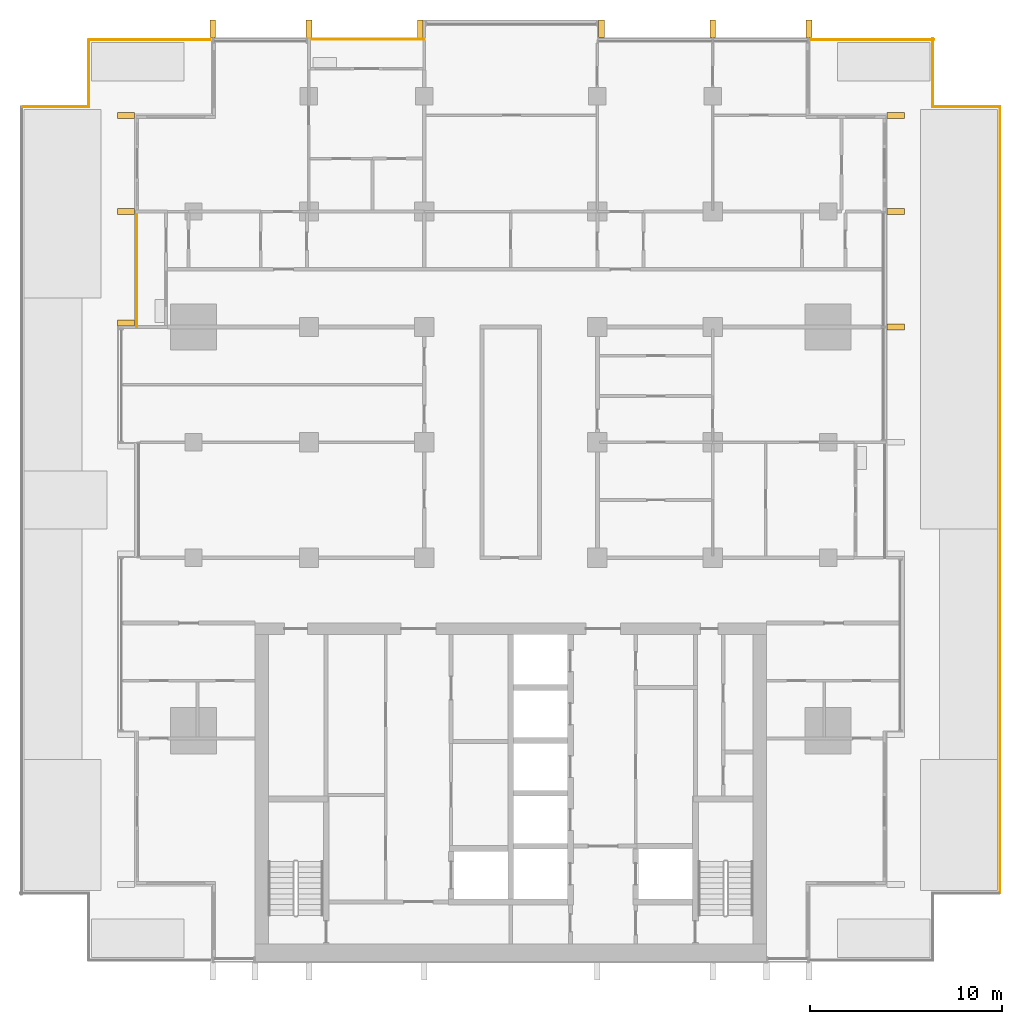
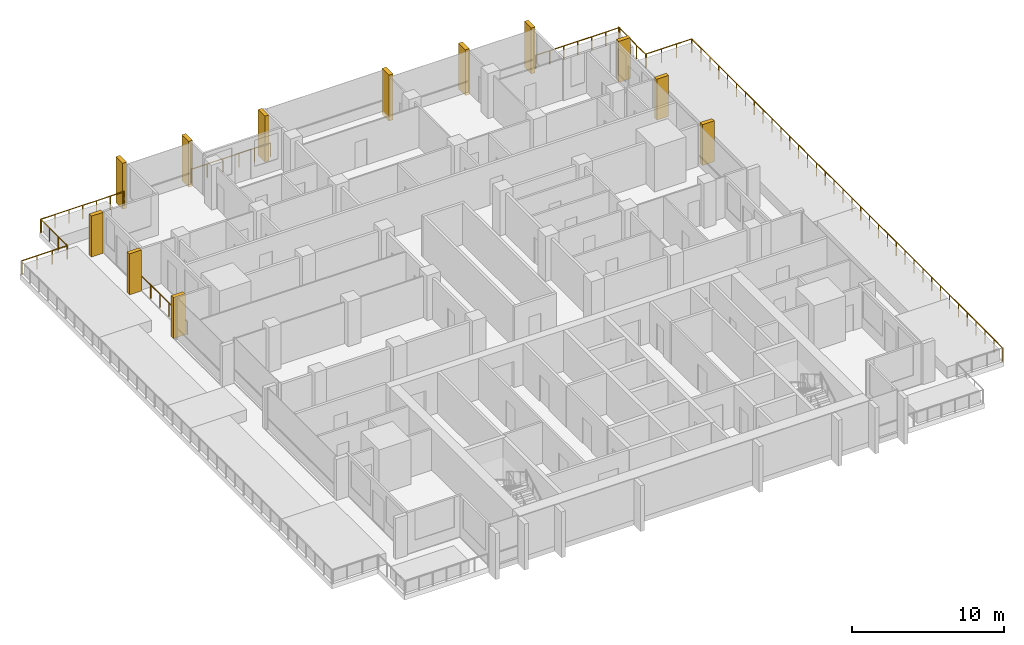
# One storey, part 18 of 18: 12 shading devices, 9 railings.
"""IFC4 building model written with IfcOpenShell, lengths in metres."""

from ifc_helpers import new_model, si_unit, direction, frame, origin, origin_2d, place, context, subcontext, project, spatial, rectangle, circle, extrude, material, type_object, element, save


model = new_model("IFC4")

# Units and contexts
model_context = context("Model", 3, precision=1e-05, world=origin(), true_north=direction((0.0, 1.0)))
body_context = subcontext(model_context, "Body", "Model", "MODEL_VIEW")
ifc_project = project(units=[si_unit("LENGTHUNIT", "METRE"), si_unit("AREAUNIT", "SQUARE_METRE"), si_unit("VOLUMEUNIT", "CUBIC_METRE"), si_unit("PLANEANGLEUNIT", "RADIAN"), si_unit("MASSUNIT", "GRAM", prefix="KILO")], contexts=[model_context])

# Site, building, storey
site_placement = place(None, origin())
site = spatial("IfcSite", under=ifc_project, at=site_placement, CompositionType="ELEMENT")
building_placement = place(site_placement, origin())
building = spatial("IfcBuilding", under=site, at=building_placement, Name="Finial Court Residences", CompositionType="ELEMENT")
storey_placement = place(building_placement, frame((0.0, 0.0, 149.300048828125)))
storey = spatial("IfcBuildingStorey", under=building, at=storey_placement, Name="L36", CompositionType="ELEMENT", Elevation=149.300048828125)

# Railings
ifc_material_1 = material(Name="Bronze anodised aluminium", Category="aluminium")
railing_type_1 = type_object("IfcRailingType", Name="Balcony guard 1100", PredefinedType="GUARDRAIL", material=ifc_material_1)
railing_1_placement = place(storey_placement, frame((-10.5, 22.449951171875, 0.0)))
element("IfcRailing", 1, at=railing_1_placement, inside=storey, type_object=railing_type_1, Name="E-L36-BALN2-R", PredefinedType="GUARDRAIL", context=body_context, shape_type="SweptSolid", body=[
    extrude(circle(Radius=0.02392578125, at=origin_2d()), frame((0.0, 0.0, 1.076171875), z_axis=(1.0, 0.0, 0.0), x_axis=(0.0, 1.0, 0.0)), (0.0, 0.0, 1.0), 6.0),
    extrude(circle(Radius=0.02099609375, at=origin_2d()), origin(), (0.0, 0.0, 1.0), 1.052001953125),
    extrude(circle(Radius=0.02099609375, at=origin_2d()), frame((1.199951171875, 0.0, 0.0)), (0.0, 0.0, 1.0), 1.052001953125),
    extrude(circle(Radius=0.02099609375, at=origin_2d()), frame((2.39990234375, 0.0, 0.0)), (0.0, 0.0, 1.0), 1.052001953125),
    extrude(circle(Radius=0.02099609375, at=origin_2d()), frame((3.60009765625, 0.0, 0.0)), (0.0, 0.0, 1.0), 1.052001953125),
    extrude(circle(Radius=0.02099609375, at=origin_2d()), frame((4.800048828125, 0.0, 0.0)), (0.0, 0.0, 1.0), 1.052001953125),
    extrude(circle(Radius=0.02099609375, at=origin_2d()), frame((6.0, 0.0, 0.0)), (0.0, 0.0, 1.0), 1.052001953125),
])
railing_2_placement = place(storey_placement, frame((-19.449951171875, 7.5, 0.0)))
element("IfcRailing", 2, at=railing_2_placement, inside=storey, type_object=railing_type_1, Name="E-L36-BALW5-R", PredefinedType="GUARDRAIL", context=body_context, shape_type="SweptSolid", body=[
    extrude(circle(Radius=0.02392578125, at=origin_2d()), frame((0.0, 0.0, 1.076171875), z_axis=(0.0, 1.0, 0.0), x_axis=(-1.0, 0.0, 0.0)), (0.0, 0.0, 1.0), 6.0),
    extrude(circle(Radius=0.02099609375, at=origin_2d()), origin(), (0.0, 0.0, 1.0), 1.052001953125),
    extrude(circle(Radius=0.02099609375, at=origin_2d()), frame((0.0, 1.199951171875, 0.0)), (0.0, 0.0, 1.0), 1.052001953125),
    extrude(circle(Radius=0.02099609375, at=origin_2d()), frame((0.0, 2.39990234375, 0.0)), (0.0, 0.0, 1.0), 1.052001953125),
    extrude(circle(Radius=0.02099609375, at=origin_2d()), frame((0.0, 3.60009765625, 0.0)), (0.0, 0.0, 1.0), 1.052001953125),
    extrude(circle(Radius=0.02099609375, at=origin_2d()), frame((0.0, 4.800048828125, 0.0)), (0.0, 0.0, 1.0), 1.052001953125),
    extrude(circle(Radius=0.02099609375, at=origin_2d()), frame((0.0, 6.0, 0.0)), (0.0, 0.0, 1.0), 1.052001953125),
])

# Shading devices
ifc_material_2 = material(Name="Natural limestone", Category="masonry")
shading_device_type = type_object("IfcShadingDeviceType", Name="Limestone fin 300 x 900", PredefinedType="USERDEFINED", material=ifc_material_2)
for number, where, z_axis, x_axis, name in (
    (3, (-15.5, 23.010009765625, -0.39990234375), (0.0, 0.0, 1.0), (1.0, 0.0, 0.0), "E-L36-FIN-N1"),
    (4, (-10.5, 23.010009765625, -0.39990234375), (0.0, 0.0, 1.0), (1.0, 0.0, 0.0), "E-L36-FIN-N2"),
    (5, (-4.7099609375, 23.010009765625, -0.39990234375), (0.0, 0.0, 1.0), (1.0, 0.0, 0.0), "E-L36-FIN-N3"),
    (6, (4.7099609375, 23.010009765625, -0.39990234375), (0.0, 0.0, 1.0), (1.0, 0.0, 0.0), "E-L36-FIN-N4"),
    (7, (10.5, 23.010009765625, -0.39990234375), (0.0, 0.0, 1.0), (1.0, 0.0, 0.0), "E-L36-FIN-N5"),
    (8, (15.5, 23.010009765625, -0.39990234375), (0.0, 0.0, 1.0), (1.0, 0.0, 0.0), "E-L36-FIN-N6"),
):
    element("IfcShadingDevice", number, at=place(storey_placement, frame(where, z_axis=z_axis, x_axis=x_axis)), inside=storey, type_object=shading_device_type, Name=name, ObjectType="FIN", PredefinedType="USERDEFINED", context=body_context, shape_type="SweptSolid", body=[
        extrude(rectangle(XDim=0.300048828125, YDim=0.89990234375, at=origin_2d()), origin(), (0.0, 0.0, 1.0), 3.679931640625),
    ])
for number, where, z_axis, x_axis, name in (
    (9, (20.010009765625, 7.5, 0.0), (0.0, 0.0, 1.0), (1.0, 0.0, 0.0), "E-L36-FIN-E11"),
    (10, (20.010009765625, 13.5, 0.0), (0.0, 0.0, 1.0), (1.0, 0.0, 0.0), "E-L36-FIN-E12"),
    (11, (20.010009765625, 18.5, 0.0), (0.0, 0.0, 1.0), (1.0, 0.0, 0.0), "E-L36-FIN-E13"),
    (12, (-20.010009765625, 7.7099609375, 0.0), (0.0, 0.0, 1.0), (1.0, 0.0, 0.0), "E-L36-FIN-W26"),
    (13, (-20.010009765625, 13.5, 0.0), (0.0, 0.0, 1.0), (1.0, 0.0, 0.0), "E-L36-FIN-W27"),
    (14, (-20.010009765625, 18.5, 0.0), (0.0, 0.0, 1.0), (1.0, 0.0, 0.0), "E-L36-FIN-W28"),
):
    element("IfcShadingDevice", number, at=place(storey_placement, frame(where, z_axis=z_axis, x_axis=x_axis)), inside=storey, type_object=shading_device_type, Name=name, ObjectType="FIN", PredefinedType="USERDEFINED", context=body_context, shape_type="SweptSolid", body=[
        extrude(rectangle(XDim=0.89990234375, YDim=0.300048828125, at=origin_2d()), origin(), (0.0, 0.0, 1.0), 3.280029296875),
    ])

# Railings
railing_type_2 = type_object("IfcRailingType", Name="Terrace guard 1100", PredefinedType="GUARDRAIL", material=ifc_material_1)
railing_3_placement = place(storey_placement, frame((21.93994140625, 22.5, 0.0)))
element("IfcRailing", 15, at=railing_3_placement, inside=storey, type_object=railing_type_2, Name="E-L36-TER1-R1-1", PredefinedType="GUARDRAIL", context=body_context, shape_type="SweptSolid", body=[
    extrude(circle(Radius=0.02392578125, at=origin_2d()), frame((0.0, 0.0, 1.076171875), z_axis=(0.0, -1.0, 0.0), x_axis=(1.0, 0.0, 0.0)), (0.0, 0.0, 1.0), 3.56005859375),
    extrude(circle(Radius=0.02099609375, at=origin_2d()), origin(), (0.0, 0.0, 1.0), 1.052001953125),
    extrude(circle(Radius=0.02099609375, at=origin_2d()), frame((0.0, -1.186767578125, 0.0)), (0.0, 0.0, 1.0), 1.052001953125),
    extrude(circle(Radius=0.02099609375, at=origin_2d()), frame((0.0, -2.373291015625, 0.0)), (0.0, 0.0, 1.0), 1.052001953125),
    extrude(circle(Radius=0.02099609375, at=origin_2d()), frame((0.0, -3.56005859375, 0.0)), (0.0, 0.0, 1.0), 1.052001953125),
])
railing_4_placement = place(storey_placement, frame((21.989990234375, 18.93994140625, 0.0)))
element("IfcRailing", 16, at=railing_4_placement, inside=storey, type_object=railing_type_2, Name="E-L36-TER1-R1-2", PredefinedType="GUARDRAIL", context=body_context, shape_type="SweptSolid", body=[
    extrude(circle(Radius=0.02392578125, at=origin_2d()), frame((0.0, 0.0, 1.076171875), z_axis=(1.0, 0.0, 0.0), x_axis=(0.0, 1.0, 0.0)), (0.0, 0.0, 1.0), 3.449951171875),
    extrude(circle(Radius=0.02099609375, at=origin_2d()), origin(), (0.0, 0.0, 1.0), 1.052001953125),
    extrude(circle(Radius=0.02099609375, at=origin_2d()), frame((1.14990234375, 0.0, 0.0)), (0.0, 0.0, 1.0), 1.052001953125),
    extrude(circle(Radius=0.02099609375, at=origin_2d()), frame((2.300048828125, 0.0, 0.0)), (0.0, 0.0, 1.0), 1.052001953125),
    extrude(circle(Radius=0.02099609375, at=origin_2d()), frame((3.449951171875, 0.0, 0.0)), (0.0, 0.0, 1.0), 1.052001953125),
])
railing_5_placement = place(storey_placement, frame((25.43994140625, 18.889892578125, 0.0)))
element("IfcRailing", 17, at=railing_5_placement, inside=storey, type_object=railing_type_2, Name="E-L36-TER1-R1-3", PredefinedType="GUARDRAIL", context=body_context, shape_type="SweptSolid", body=[
    extrude(circle(Radius=0.02392578125, at=origin_2d()), frame((0.0, 0.0, 1.076171875), z_axis=(0.0, -1.0, 0.0), x_axis=(1.0, 0.0, 0.0)), (0.0, 0.0, 1.0), 40.829833984375),
    extrude(circle(Radius=0.02099609375, at=origin_2d()), origin(), (0.0, 0.0, 1.0), 1.052001953125),
    extrude(circle(Radius=0.02099609375, at=origin_2d()), frame((0.0, -1.16650390625, 0.0)), (0.0, 0.0, 1.0), 1.052001953125),
    extrude(circle(Radius=0.02099609375, at=origin_2d()), frame((0.0, -2.333251953125, 0.0)), (0.0, 0.0, 1.0), 1.052001953125),
    extrude(circle(Radius=0.02099609375, at=origin_2d()), frame((0.0, -3.499755859375, 0.0)), (0.0, 0.0, 1.0), 1.052001953125),
    extrude(circle(Radius=0.02099609375, at=origin_2d()), frame((0.0, -4.666259765625, 0.0)), (0.0, 0.0, 1.0), 1.052001953125),
    extrude(circle(Radius=0.02099609375, at=origin_2d()), frame((0.0, -5.832763671875, 0.0)), (0.0, 0.0, 1.0), 1.052001953125),
    extrude(circle(Radius=0.02099609375, at=origin_2d()), frame((0.0, -6.99951171875, 0.0)), (0.0, 0.0, 1.0), 1.052001953125),
    extrude(circle(Radius=0.02099609375, at=origin_2d()), frame((0.0, -8.166015625, 0.0)), (0.0, 0.0, 1.0), 1.052001953125),
    extrude(circle(Radius=0.02099609375, at=origin_2d()), frame((0.0, -9.33251953125, 0.0)), (0.0, 0.0, 1.0), 1.052001953125),
    extrude(circle(Radius=0.02099609375, at=origin_2d()), frame((0.0, -10.4990234375, 0.0)), (0.0, 0.0, 1.0), 1.052001953125),
    extrude(circle(Radius=0.02099609375, at=origin_2d()), frame((0.0, -11.665771484375, 0.0)), (0.0, 0.0, 1.0), 1.052001953125),
    extrude(circle(Radius=0.02099609375, at=origin_2d()), frame((0.0, -12.832275390625, 0.0)), (0.0, 0.0, 1.0), 1.052001953125),
    extrude(circle(Radius=0.02099609375, at=origin_2d()), frame((0.0, -13.998779296875, 0.0)), (0.0, 0.0, 1.0), 1.052001953125),
    extrude(circle(Radius=0.02099609375, at=origin_2d()), frame((0.0, -15.165283203125, 0.0)), (0.0, 0.0, 1.0), 1.052001953125),
    extrude(circle(Radius=0.02099609375, at=origin_2d()), frame((0.0, -16.33203125, 0.0)), (0.0, 0.0, 1.0), 1.052001953125),
    extrude(circle(Radius=0.02099609375, at=origin_2d()), frame((0.0, -17.49853515625, 0.0)), (0.0, 0.0, 1.0), 1.052001953125),
    extrude(circle(Radius=0.02099609375, at=origin_2d()), frame((0.0, -18.6650390625, 0.0)), (0.0, 0.0, 1.0), 1.052001953125),
    extrude(circle(Radius=0.02099609375, at=origin_2d()), frame((0.0, -19.83154296875, 0.0)), (0.0, 0.0, 1.0), 1.052001953125),
    extrude(circle(Radius=0.02099609375, at=origin_2d()), frame((0.0, -20.998291015625, 0.0)), (0.0, 0.0, 1.0), 1.052001953125),
    extrude(circle(Radius=0.02099609375, at=origin_2d()), frame((0.0, -22.164794921875, 0.0)), (0.0, 0.0, 1.0), 1.052001953125),
    extrude(circle(Radius=0.02099609375, at=origin_2d()), frame((0.0, -23.331298828125, 0.0)), (0.0, 0.0, 1.0), 1.052001953125),
    extrude(circle(Radius=0.02099609375, at=origin_2d()), frame((0.0, -24.497802734375, 0.0)), (0.0, 0.0, 1.0), 1.052001953125),
    extrude(circle(Radius=0.02099609375, at=origin_2d()), frame((0.0, -25.66455078125, 0.0)), (0.0, 0.0, 1.0), 1.052001953125),
    extrude(circle(Radius=0.02099609375, at=origin_2d()), frame((0.0, -26.8310546875, 0.0)), (0.0, 0.0, 1.0), 1.052001953125),
    extrude(circle(Radius=0.02099609375, at=origin_2d()), frame((0.0, -27.99755859375, 0.0)), (0.0, 0.0, 1.0), 1.052001953125),
    extrude(circle(Radius=0.02099609375, at=origin_2d()), frame((0.0, -29.1640625, 0.0)), (0.0, 0.0, 1.0), 1.052001953125),
    extrude(circle(Radius=0.02099609375, at=origin_2d()), frame((0.0, -30.330810546875, 0.0)), (0.0, 0.0, 1.0), 1.052001953125),
    extrude(circle(Radius=0.02099609375, at=origin_2d()), frame((0.0, -31.497314453125, 0.0)), (0.0, 0.0, 1.0), 1.052001953125),
    extrude(circle(Radius=0.02099609375, at=origin_2d()), frame((0.0, -32.663818359375, 0.0)), (0.0, 0.0, 1.0), 1.052001953125),
    extrude(circle(Radius=0.02099609375, at=origin_2d()), frame((0.0, -33.830322265625, 0.0)), (0.0, 0.0, 1.0), 1.052001953125),
    extrude(circle(Radius=0.02099609375, at=origin_2d()), frame((0.0, -34.9970703125, 0.0)), (0.0, 0.0, 1.0), 1.052001953125),
    extrude(circle(Radius=0.02099609375, at=origin_2d()), frame((0.0, -36.16357421875, 0.0)), (0.0, 0.0, 1.0), 1.052001953125),
    extrude(circle(Radius=0.02099609375, at=origin_2d()), frame((0.0, -37.330078125, 0.0)), (0.0, 0.0, 1.0), 1.052001953125),
    extrude(circle(Radius=0.02099609375, at=origin_2d()), frame((0.0, -38.49658203125, 0.0)), (0.0, 0.0, 1.0), 1.052001953125),
    extrude(circle(Radius=0.02099609375, at=origin_2d()), frame((0.0, -39.663330078125, 0.0)), (0.0, 0.0, 1.0), 1.052001953125),
    extrude(circle(Radius=0.02099609375, at=origin_2d()), frame((0.0, -40.829833984375, 0.0)), (0.0, 0.0, 1.0), 1.052001953125),
])
railing_6_placement = place(storey_placement, frame((15.6201171875, 22.43994140625, 0.0)))
element("IfcRailing", 18, at=railing_6_placement, inside=storey, type_object=railing_type_2, Name="E-L36-TER1-R2", PredefinedType="GUARDRAIL", context=body_context, shape_type="SweptSolid", body=[
    extrude(circle(Radius=0.02392578125, at=origin_2d()), frame((0.0, 0.0, 1.076171875), z_axis=(1.0, 0.0, 0.0), x_axis=(0.0, 1.0, 0.0)), (0.0, 0.0, 1.0), 6.3798828125),
    extrude(circle(Radius=0.02099609375, at=origin_2d()), origin(), (0.0, 0.0, 1.0), 1.052001953125),
    extrude(circle(Radius=0.02099609375, at=origin_2d()), frame((1.063232421875, 0.0, 0.0)), (0.0, 0.0, 1.0), 1.052001953125),
    extrude(circle(Radius=0.02099609375, at=origin_2d()), frame((2.126708984375, 0.0, 0.0)), (0.0, 0.0, 1.0), 1.052001953125),
    extrude(circle(Radius=0.02099609375, at=origin_2d()), frame((3.18994140625, 0.0, 0.0)), (0.0, 0.0, 1.0), 1.052001953125),
    extrude(circle(Radius=0.02099609375, at=origin_2d()), frame((4.253173828125, 0.0, 0.0)), (0.0, 0.0, 1.0), 1.052001953125),
    extrude(circle(Radius=0.02099609375, at=origin_2d()), frame((5.316650390625, 0.0, 0.0)), (0.0, 0.0, 1.0), 1.052001953125),
    extrude(circle(Radius=0.02099609375, at=origin_2d()), frame((6.3798828125, 0.0, 0.0)), (0.0, 0.0, 1.0), 1.052001953125),
])
railing_7_placement = place(storey_placement, frame((-25.389892578125, 18.93994140625, 0.0)))
element("IfcRailing", 19, at=railing_7_placement, inside=storey, type_object=railing_type_2, Name="E-L36-TER2-R1-2", PredefinedType="GUARDRAIL", context=body_context, shape_type="SweptSolid", body=[
    extrude(circle(Radius=0.02392578125, at=origin_2d()), frame((0.0, 0.0, 1.076171875), z_axis=(1.0, 0.0, 0.0), x_axis=(0.0, 1.0, 0.0)), (0.0, 0.0, 1.0), 3.449951171875),
    extrude(circle(Radius=0.02099609375, at=origin_2d()), origin(), (0.0, 0.0, 1.0), 1.052001953125),
    extrude(circle(Radius=0.02099609375, at=origin_2d()), frame((1.14990234375, 0.0, 0.0)), (0.0, 0.0, 1.0), 1.052001953125),
    extrude(circle(Radius=0.02099609375, at=origin_2d()), frame((2.300048828125, 0.0, 0.0)), (0.0, 0.0, 1.0), 1.052001953125),
    extrude(circle(Radius=0.02099609375, at=origin_2d()), frame((3.449951171875, 0.0, 0.0)), (0.0, 0.0, 1.0), 1.052001953125),
])
railing_8_placement = place(storey_placement, frame((-21.93994140625, 18.989990234375, 0.0)))
element("IfcRailing", 20, at=railing_8_placement, inside=storey, type_object=railing_type_2, Name="E-L36-TER2-R1-3", PredefinedType="GUARDRAIL", context=body_context, shape_type="SweptSolid", body=[
    extrude(circle(Radius=0.02392578125, at=origin_2d()), frame((0.0, 0.0, 1.076171875), z_axis=(0.0, 1.0, 0.0), x_axis=(-1.0, 0.0, 0.0)), (0.0, 0.0, 1.0), 3.449951171875),
    extrude(circle(Radius=0.02099609375, at=origin_2d()), origin(), (0.0, 0.0, 1.0), 1.052001953125),
    extrude(circle(Radius=0.02099609375, at=origin_2d()), frame((0.0, 1.14990234375, 0.0)), (0.0, 0.0, 1.0), 1.052001953125),
    extrude(circle(Radius=0.02099609375, at=origin_2d()), frame((0.0, 2.300048828125, 0.0)), (0.0, 0.0, 1.0), 1.052001953125),
    extrude(circle(Radius=0.02099609375, at=origin_2d()), frame((0.0, 3.449951171875, 0.0)), (0.0, 0.0, 1.0), 1.052001953125),
])
railing_9_placement = place(storey_placement, frame((-21.889892578125, 22.43994140625, 0.0)))
element("IfcRailing", 21, at=railing_9_placement, inside=storey, type_object=railing_type_2, Name="E-L36-TER2-R1-4", PredefinedType="GUARDRAIL", context=body_context, shape_type="SweptSolid", body=[
    extrude(circle(Radius=0.02392578125, at=origin_2d()), frame((0.0, 0.0, 1.076171875), z_axis=(1.0, 0.0, 0.0), x_axis=(0.0, 1.0, 0.0)), (0.0, 0.0, 1.0), 6.269775390625),
    extrude(circle(Radius=0.02099609375, at=origin_2d()), origin(), (0.0, 0.0, 1.0), 1.052001953125),
    extrude(circle(Radius=0.02099609375, at=origin_2d()), frame((1.044921875, 0.0, 0.0)), (0.0, 0.0, 1.0), 1.052001953125),
    extrude(circle(Radius=0.02099609375, at=origin_2d()), frame((2.08984375, 0.0, 0.0)), (0.0, 0.0, 1.0), 1.052001953125),
    extrude(circle(Radius=0.02099609375, at=origin_2d()), frame((3.134765625, 0.0, 0.0)), (0.0, 0.0, 1.0), 1.052001953125),
    extrude(circle(Radius=0.02099609375, at=origin_2d()), frame((4.179931640625, 0.0, 0.0)), (0.0, 0.0, 1.0), 1.052001953125),
    extrude(circle(Radius=0.02099609375, at=origin_2d()), frame((5.224853515625, 0.0, 0.0)), (0.0, 0.0, 1.0), 1.052001953125),
    extrude(circle(Radius=0.02099609375, at=origin_2d()), frame((6.269775390625, 0.0, 0.0)), (0.0, 0.0, 1.0), 1.052001953125),
])

save(model, "model.ifc")
